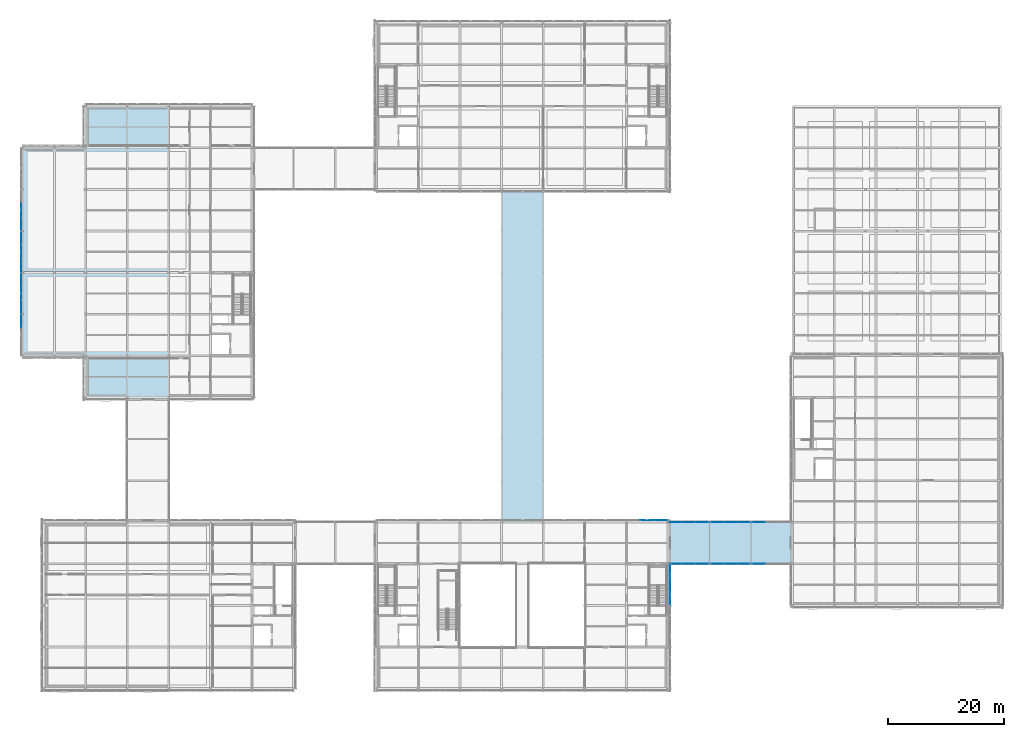
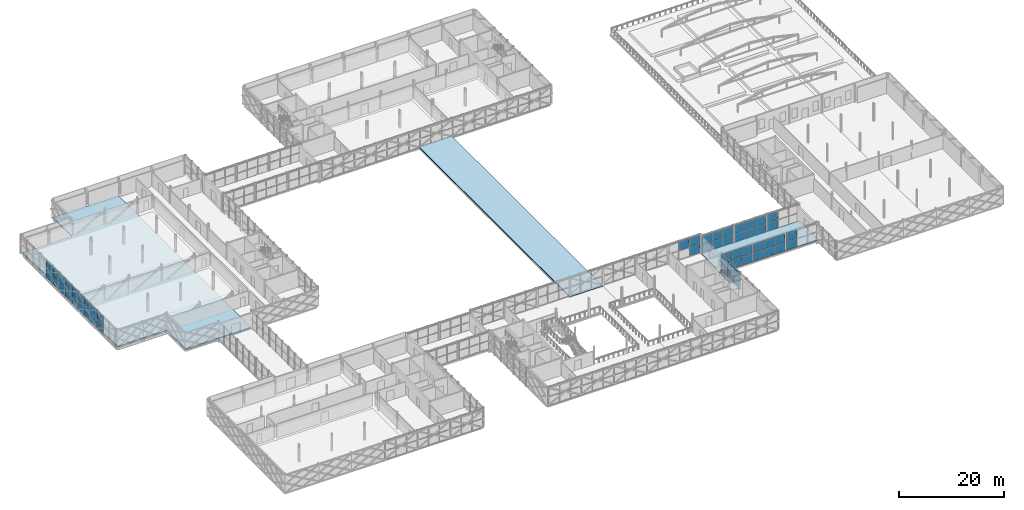
# One storey, part 78 of 126: 55 plates, 3 slabs, 12 elements without a shape of their own.
"""IFC4 building model written with IfcOpenShell, lengths in metres."""

from ifc_helpers import new_model, si_unit, direction, frame, origin, origin_2d, place, context, subcontext, project, spatial, polyline, rectangle, outline, extrude, material, layer, layer_set, type_object, element, aggregate, save


model = new_model("IFC4")

# Units and contexts
model_context = context("Model", 3, precision=1e-05, world=origin(), true_north=direction((0.0, 1.0)))
body_context = subcontext(model_context, "Body", "Model", "MODEL_VIEW")
ifc_project = project(units=[si_unit("LENGTHUNIT", "METRE"), si_unit("AREAUNIT", "SQUARE_METRE"), si_unit("VOLUMEUNIT", "CUBIC_METRE"), si_unit("PLANEANGLEUNIT", "RADIAN"), si_unit("MASSUNIT", "GRAM", prefix="KILO")], contexts=[model_context])

# Site, building, storey
site_placement = place(None, origin())
site = spatial("IfcSite", under=ifc_project, at=site_placement, CompositionType="ELEMENT")
building_placement = place(site_placement, origin())
building = spatial("IfcBuilding", under=site, at=building_placement, Name="Zlatovets Crest Museum", CompositionType="ELEMENT")
storey_placement = place(building_placement, frame((0.0, 0.0, 8.699951171875)))
storey = spatial("IfcBuildingStorey", under=building, at=storey_placement, Name="L02", CompositionType="ELEMENT", Elevation=8.699951171875)

# Curtain wall, plates
ifc_material_1 = material(Name="Bronze-anodised aluminium and low-E triple glass", Category="aluminium")
curtain_wall_type_1 = type_object("IfcCurtainWallType", Name="CW_CW-BR4-L02-S69", PredefinedType="NOTDEFINED", material=ifc_material_1)
curtain_wall_1_placement = place(storey_placement, origin())
curtain_wall_1 = element("IfcCurtainWall", 1, at=curtain_wall_1_placement, inside=storey, type_object=curtain_wall_type_1, Name="Southeast Archive Glazed Link Bridge L02 Glazed Bridge Curtain Wall", PredefinedType="NOTDEFINED")
ifc_material_2 = material(Name="Solar-control low-E laminated triple glass", Category="glass")
ifc_layer_1 = layer(ifc_material_2, 0.030029296875)
ifc_layer_set_1 = layer_set([ifc_layer_1], Name="Solar-control low-E laminated triple glass")
plate_type_1 = type_object("IfcPlateType", Name="CWPanel_CW-BR4-L02-S69", PredefinedType="CURTAIN_PANEL", material=ifc_layer_set_1)
plate_1_placement = place(storey_placement, frame((109.31494140625, 21.60009765625, 0.06005859375), z_axis=(0.0, 0.0, 1.0), x_axis=(1.0, 0.0, 0.0)))
plate_1 = element("IfcPlate", 2, at=plate_1_placement, type_object=plate_type_1, Name="CW-BR4-L02-S69 panel 1.1", PredefinedType="CURTAIN_PANEL", context=body_context, shape_type="SweptSolid", body=[
    extrude(rectangle(XDim=2.2099609375, YDim=0.030029296875, at=origin_2d()), origin(), (0.0, 0.0, 1.0), 1.89990234375),
])
plate_2_placement = place(storey_placement, frame((109.31494140625, 21.60009765625, 2.02001953125), z_axis=(0.0, 0.0, 1.0), x_axis=(1.0, 0.0, 0.0)))
plate_2 = element("IfcPlate", 3, at=plate_2_placement, type_object=plate_type_1, Name="CW-BR4-L02-S69 panel 1.2", PredefinedType="CURTAIN_PANEL", context=body_context, shape_type="SweptSolid", body=[
    extrude(rectangle(XDim=2.2099609375, YDim=0.030029296875, at=origin_2d()), origin(), (0.0, 0.0, 1.0), 1.89990234375),
])
plate_3_placement = place(storey_placement, frame((111.60009765625, 21.60009765625, 0.06005859375), z_axis=(0.0, 0.0, 1.0), x_axis=(1.0, 0.0, 0.0)))
plate_3 = element("IfcPlate", 4, at=plate_3_placement, type_object=plate_type_1, Name="CW-BR4-L02-S69 panel 2.1", PredefinedType="CURTAIN_PANEL", context=body_context, shape_type="SweptSolid", body=[
    extrude(rectangle(XDim=2.239990234375, YDim=0.030029296875, at=origin_2d()), origin(), (0.0, 0.0, 1.0), 1.89990234375),
])
plate_4_placement = place(storey_placement, frame((111.60009765625, 21.60009765625, 2.02001953125), z_axis=(0.0, 0.0, 1.0), x_axis=(1.0, 0.0, 0.0)))
plate_4 = element("IfcPlate", 5, at=plate_4_placement, type_object=plate_type_1, Name="CW-BR4-L02-S69 panel 2.2", PredefinedType="CURTAIN_PANEL", context=body_context, shape_type="SweptSolid", body=[
    extrude(rectangle(XDim=2.239990234375, YDim=0.030029296875, at=origin_2d()), origin(), (0.0, 0.0, 1.0), 1.89990234375),
])
plate_5_placement = place(storey_placement, frame((113.885009765625, 21.60009765625, 0.06005859375), z_axis=(0.0, 0.0, 1.0), x_axis=(1.0, 0.0, 0.0)))
plate_5 = element("IfcPlate", 6, at=plate_5_placement, type_object=plate_type_1, Name="CW-BR4-L02-S69 panel 3.1", PredefinedType="CURTAIN_PANEL", context=body_context, shape_type="SweptSolid", body=[
    extrude(rectangle(XDim=2.2099609375, YDim=0.030029296875, at=origin_2d()), origin(), (0.0, 0.0, 1.0), 1.89990234375),
])
plate_6_placement = place(storey_placement, frame((113.885009765625, 21.60009765625, 2.02001953125), z_axis=(0.0, 0.0, 1.0), x_axis=(1.0, 0.0, 0.0)))
plate_6 = element("IfcPlate", 7, at=plate_6_placement, type_object=plate_type_1, Name="CW-BR4-L02-S69 panel 3.2", PredefinedType="CURTAIN_PANEL", context=body_context, shape_type="SweptSolid", body=[
    extrude(rectangle(XDim=2.2099609375, YDim=0.030029296875, at=origin_2d()), origin(), (0.0, 0.0, 1.0), 1.89990234375),
])
aggregate(curtain_wall_1, [plate_1, plate_2, plate_3, plate_4, plate_5, plate_6])

curtain_wall_2_placement = place(storey_placement, origin())
curtain_wall_2 = element("IfcCurtainWall", 8, at=curtain_wall_2_placement, inside=storey, type_object=curtain_wall_type_1, Name="Southeast Archive Glazed Link Bridge L02 Glazed Bridge Curtain Wall", PredefinedType="NOTDEFINED")
plate_7_placement = place(storey_placement, frame((116.514892578125, 21.60009765625, 0.06005859375), z_axis=(0.0, 0.0, 1.0), x_axis=(1.0, 0.0, 0.0)))
plate_7 = element("IfcPlate", 9, at=plate_7_placement, type_object=plate_type_1, Name="CW-BR4-L02-S69 panel 1.1", PredefinedType="CURTAIN_PANEL", context=body_context, shape_type="SweptSolid", body=[
    extrude(rectangle(XDim=2.2099609375, YDim=0.030029296875, at=origin_2d()), origin(), (0.0, 0.0, 1.0), 1.89990234375),
])
plate_8_placement = place(storey_placement, frame((116.514892578125, 21.60009765625, 2.02001953125), z_axis=(0.0, 0.0, 1.0), x_axis=(1.0, 0.0, 0.0)))
plate_8 = element("IfcPlate", 10, at=plate_8_placement, type_object=plate_type_1, Name="CW-BR4-L02-S69 panel 1.2", PredefinedType="CURTAIN_PANEL", context=body_context, shape_type="SweptSolid", body=[
    extrude(rectangle(XDim=2.2099609375, YDim=0.030029296875, at=origin_2d()), origin(), (0.0, 0.0, 1.0), 1.89990234375),
])
plate_9_placement = place(storey_placement, frame((118.800048828125, 21.60009765625, 0.06005859375), z_axis=(0.0, 0.0, 1.0), x_axis=(1.0, 0.0, 0.0)))
plate_9 = element("IfcPlate", 11, at=plate_9_placement, type_object=plate_type_1, Name="CW-BR4-L02-S69 panel 2.1", PredefinedType="CURTAIN_PANEL", context=body_context, shape_type="SweptSolid", body=[
    extrude(rectangle(XDim=2.239990234375, YDim=0.030029296875, at=origin_2d()), origin(), (0.0, 0.0, 1.0), 1.89990234375),
])
plate_10_placement = place(storey_placement, frame((118.800048828125, 21.60009765625, 2.02001953125), z_axis=(0.0, 0.0, 1.0), x_axis=(1.0, 0.0, 0.0)))
plate_10 = element("IfcPlate", 12, at=plate_10_placement, type_object=plate_type_1, Name="CW-BR4-L02-S69 panel 2.2", PredefinedType="CURTAIN_PANEL", context=body_context, shape_type="SweptSolid", body=[
    extrude(rectangle(XDim=2.239990234375, YDim=0.030029296875, at=origin_2d()), origin(), (0.0, 0.0, 1.0), 1.89990234375),
])
plate_11_placement = place(storey_placement, frame((121.0849609375, 21.60009765625, 0.06005859375), z_axis=(0.0, 0.0, 1.0), x_axis=(1.0, 0.0, 0.0)))
plate_11 = element("IfcPlate", 13, at=plate_11_placement, type_object=plate_type_1, Name="CW-BR4-L02-S69 panel 3.1", PredefinedType="CURTAIN_PANEL", context=body_context, shape_type="SweptSolid", body=[
    extrude(rectangle(XDim=2.2099609375, YDim=0.030029296875, at=origin_2d()), origin(), (0.0, 0.0, 1.0), 1.89990234375),
])
plate_12_placement = place(storey_placement, frame((121.0849609375, 21.60009765625, 2.02001953125), z_axis=(0.0, 0.0, 1.0), x_axis=(1.0, 0.0, 0.0)))
plate_12 = element("IfcPlate", 14, at=plate_12_placement, type_object=plate_type_1, Name="CW-BR4-L02-S69 panel 3.2", PredefinedType="CURTAIN_PANEL", context=body_context, shape_type="SweptSolid", body=[
    extrude(rectangle(XDim=2.2099609375, YDim=0.030029296875, at=origin_2d()), origin(), (0.0, 0.0, 1.0), 1.89990234375),
])
aggregate(curtain_wall_2, [plate_7, plate_8, plate_9, plate_10, plate_11, plate_12])

curtain_wall_3_placement = place(storey_placement, origin())
curtain_wall_3 = element("IfcCurtainWall", 15, at=curtain_wall_3_placement, inside=storey, type_object=curtain_wall_type_1, Name="Southeast Archive Glazed Link Bridge L02 Glazed Bridge Curtain Wall", PredefinedType="NOTDEFINED")
plate_13_placement = place(storey_placement, frame((123.715087890625, 21.60009765625, 0.06005859375), z_axis=(0.0, 0.0, 1.0), x_axis=(1.0, 0.0, 0.0)))
plate_13 = element("IfcPlate", 16, at=plate_13_placement, type_object=plate_type_1, Name="CW-BR4-L02-S69 panel 1.1", PredefinedType="CURTAIN_PANEL", context=body_context, shape_type="SweptSolid", body=[
    extrude(rectangle(XDim=2.2099609375, YDim=0.030029296875, at=origin_2d()), origin(), (0.0, 0.0, 1.0), 1.89990234375),
])
plate_14_placement = place(storey_placement, frame((123.715087890625, 21.60009765625, 2.02001953125), z_axis=(0.0, 0.0, 1.0), x_axis=(1.0, 0.0, 0.0)))
plate_14 = element("IfcPlate", 17, at=plate_14_placement, type_object=plate_type_1, Name="CW-BR4-L02-S69 panel 1.2", PredefinedType="CURTAIN_PANEL", context=body_context, shape_type="SweptSolid", body=[
    extrude(rectangle(XDim=2.2099609375, YDim=0.030029296875, at=origin_2d()), origin(), (0.0, 0.0, 1.0), 1.89990234375),
])
aggregate(curtain_wall_3, [plate_13, plate_14])

curtain_wall_4_placement = place(storey_placement, origin())
curtain_wall_4 = element("IfcCurtainWall", 18, at=curtain_wall_4_placement, inside=storey, type_object=curtain_wall_type_1, Name="Southeast Archive Glazed Link Bridge L02 Glazed Bridge Curtain Wall", PredefinedType="NOTDEFINED")
plate_15_placement = place(storey_placement, frame((109.31494140625, 28.800048828125, 0.06005859375), z_axis=(0.0, 0.0, 1.0), x_axis=(1.0, 0.0, 0.0)))
plate_15 = element("IfcPlate", 19, at=plate_15_placement, type_object=plate_type_1, Name="CW-BR4-L02-S69 panel 1.1", PredefinedType="CURTAIN_PANEL", context=body_context, shape_type="SweptSolid", body=[
    extrude(rectangle(XDim=2.2099609375, YDim=0.030029296875, at=origin_2d()), origin(), (0.0, 0.0, 1.0), 1.89990234375),
])
plate_16_placement = place(storey_placement, frame((109.31494140625, 28.800048828125, 2.02001953125), z_axis=(0.0, 0.0, 1.0), x_axis=(1.0, 0.0, 0.0)))
plate_16 = element("IfcPlate", 20, at=plate_16_placement, type_object=plate_type_1, Name="CW-BR4-L02-S69 panel 1.2", PredefinedType="CURTAIN_PANEL", context=body_context, shape_type="SweptSolid", body=[
    extrude(rectangle(XDim=2.2099609375, YDim=0.030029296875, at=origin_2d()), origin(), (0.0, 0.0, 1.0), 1.89990234375),
])
plate_17_placement = place(storey_placement, frame((111.60009765625, 28.800048828125, 0.06005859375), z_axis=(0.0, 0.0, 1.0), x_axis=(1.0, 0.0, 0.0)))
plate_17 = element("IfcPlate", 21, at=plate_17_placement, type_object=plate_type_1, Name="CW-BR4-L02-S69 panel 2.1", PredefinedType="CURTAIN_PANEL", context=body_context, shape_type="SweptSolid", body=[
    extrude(rectangle(XDim=2.239990234375, YDim=0.030029296875, at=origin_2d()), origin(), (0.0, 0.0, 1.0), 1.89990234375),
])
plate_18_placement = place(storey_placement, frame((111.60009765625, 28.800048828125, 2.02001953125), z_axis=(0.0, 0.0, 1.0), x_axis=(1.0, 0.0, 0.0)))
plate_18 = element("IfcPlate", 22, at=plate_18_placement, type_object=plate_type_1, Name="CW-BR4-L02-S69 panel 2.2", PredefinedType="CURTAIN_PANEL", context=body_context, shape_type="SweptSolid", body=[
    extrude(rectangle(XDim=2.239990234375, YDim=0.030029296875, at=origin_2d()), origin(), (0.0, 0.0, 1.0), 1.89990234375),
])
plate_19_placement = place(storey_placement, frame((113.885009765625, 28.800048828125, 0.06005859375), z_axis=(0.0, 0.0, 1.0), x_axis=(1.0, 0.0, 0.0)))
plate_19 = element("IfcPlate", 23, at=plate_19_placement, type_object=plate_type_1, Name="CW-BR4-L02-S69 panel 3.1", PredefinedType="CURTAIN_PANEL", context=body_context, shape_type="SweptSolid", body=[
    extrude(rectangle(XDim=2.2099609375, YDim=0.030029296875, at=origin_2d()), origin(), (0.0, 0.0, 1.0), 1.89990234375),
])
plate_20_placement = place(storey_placement, frame((113.885009765625, 28.800048828125, 2.02001953125), z_axis=(0.0, 0.0, 1.0), x_axis=(1.0, 0.0, 0.0)))
plate_20 = element("IfcPlate", 24, at=plate_20_placement, type_object=plate_type_1, Name="CW-BR4-L02-S69 panel 3.2", PredefinedType="CURTAIN_PANEL", context=body_context, shape_type="SweptSolid", body=[
    extrude(rectangle(XDim=2.2099609375, YDim=0.030029296875, at=origin_2d()), origin(), (0.0, 0.0, 1.0), 1.89990234375),
])
aggregate(curtain_wall_4, [plate_15, plate_16, plate_17, plate_18, plate_19, plate_20])

curtain_wall_5_placement = place(storey_placement, origin())
curtain_wall_5 = element("IfcCurtainWall", 25, at=curtain_wall_5_placement, inside=storey, type_object=curtain_wall_type_1, Name="Southeast Archive Glazed Link Bridge L02 Glazed Bridge Curtain Wall", PredefinedType="NOTDEFINED")
plate_21_placement = place(storey_placement, frame((116.514892578125, 28.800048828125, 0.06005859375), z_axis=(0.0, 0.0, 1.0), x_axis=(1.0, 0.0, 0.0)))
plate_21 = element("IfcPlate", 26, at=plate_21_placement, type_object=plate_type_1, Name="CW-BR4-L02-S69 panel 1.1", PredefinedType="CURTAIN_PANEL", context=body_context, shape_type="SweptSolid", body=[
    extrude(rectangle(XDim=2.2099609375, YDim=0.030029296875, at=origin_2d()), origin(), (0.0, 0.0, 1.0), 1.89990234375),
])
plate_22_placement = place(storey_placement, frame((116.514892578125, 28.800048828125, 2.02001953125), z_axis=(0.0, 0.0, 1.0), x_axis=(1.0, 0.0, 0.0)))
plate_22 = element("IfcPlate", 27, at=plate_22_placement, type_object=plate_type_1, Name="CW-BR4-L02-S69 panel 1.2", PredefinedType="CURTAIN_PANEL", context=body_context, shape_type="SweptSolid", body=[
    extrude(rectangle(XDim=2.2099609375, YDim=0.030029296875, at=origin_2d()), origin(), (0.0, 0.0, 1.0), 1.89990234375),
])
plate_23_placement = place(storey_placement, frame((118.800048828125, 28.800048828125, 0.06005859375), z_axis=(0.0, 0.0, 1.0), x_axis=(1.0, 0.0, 0.0)))
plate_23 = element("IfcPlate", 28, at=plate_23_placement, type_object=plate_type_1, Name="CW-BR4-L02-S69 panel 2.1", PredefinedType="CURTAIN_PANEL", context=body_context, shape_type="SweptSolid", body=[
    extrude(rectangle(XDim=2.239990234375, YDim=0.030029296875, at=origin_2d()), origin(), (0.0, 0.0, 1.0), 1.89990234375),
])
plate_24_placement = place(storey_placement, frame((118.800048828125, 28.800048828125, 2.02001953125), z_axis=(0.0, 0.0, 1.0), x_axis=(1.0, 0.0, 0.0)))
plate_24 = element("IfcPlate", 29, at=plate_24_placement, type_object=plate_type_1, Name="CW-BR4-L02-S69 panel 2.2", PredefinedType="CURTAIN_PANEL", context=body_context, shape_type="SweptSolid", body=[
    extrude(rectangle(XDim=2.239990234375, YDim=0.030029296875, at=origin_2d()), origin(), (0.0, 0.0, 1.0), 1.89990234375),
])
plate_25_placement = place(storey_placement, frame((121.0849609375, 28.800048828125, 0.06005859375), z_axis=(0.0, 0.0, 1.0), x_axis=(1.0, 0.0, 0.0)))
plate_25 = element("IfcPlate", 30, at=plate_25_placement, type_object=plate_type_1, Name="CW-BR4-L02-S69 panel 3.1", PredefinedType="CURTAIN_PANEL", context=body_context, shape_type="SweptSolid", body=[
    extrude(rectangle(XDim=2.2099609375, YDim=0.030029296875, at=origin_2d()), origin(), (0.0, 0.0, 1.0), 1.89990234375),
])
plate_26_placement = place(storey_placement, frame((121.0849609375, 28.800048828125, 2.02001953125), z_axis=(0.0, 0.0, 1.0), x_axis=(1.0, 0.0, 0.0)))
plate_26 = element("IfcPlate", 31, at=plate_26_placement, type_object=plate_type_1, Name="CW-BR4-L02-S69 panel 3.2", PredefinedType="CURTAIN_PANEL", context=body_context, shape_type="SweptSolid", body=[
    extrude(rectangle(XDim=2.2099609375, YDim=0.030029296875, at=origin_2d()), origin(), (0.0, 0.0, 1.0), 1.89990234375),
])
aggregate(curtain_wall_5, [plate_21, plate_22, plate_23, plate_24, plate_25, plate_26])

curtain_wall_6_placement = place(storey_placement, origin())
curtain_wall_6 = element("IfcCurtainWall", 32, at=curtain_wall_6_placement, inside=storey, type_object=curtain_wall_type_1, Name="Southeast Archive Glazed Link Bridge L02 Glazed Bridge Curtain Wall", PredefinedType="NOTDEFINED")
plate_27_placement = place(storey_placement, frame((123.715087890625, 28.800048828125, 0.06005859375), z_axis=(0.0, 0.0, 1.0), x_axis=(1.0, 0.0, 0.0)))
plate_27 = element("IfcPlate", 33, at=plate_27_placement, type_object=plate_type_1, Name="CW-BR4-L02-S69 panel 1.1", PredefinedType="CURTAIN_PANEL", context=body_context, shape_type="SweptSolid", body=[
    extrude(rectangle(XDim=2.2099609375, YDim=0.030029296875, at=origin_2d()), origin(), (0.0, 0.0, 1.0), 1.89990234375),
])
plate_28_placement = place(storey_placement, frame((123.715087890625, 28.800048828125, 2.02001953125), z_axis=(0.0, 0.0, 1.0), x_axis=(1.0, 0.0, 0.0)))
plate_28 = element("IfcPlate", 34, at=plate_28_placement, type_object=plate_type_1, Name="CW-BR4-L02-S69 panel 1.2", PredefinedType="CURTAIN_PANEL", context=body_context, shape_type="SweptSolid", body=[
    extrude(rectangle(XDim=2.2099609375, YDim=0.030029296875, at=origin_2d()), origin(), (0.0, 0.0, 1.0), 1.89990234375),
])
aggregate(curtain_wall_6, [plate_27, plate_28])

curtain_wall_type_2 = type_object("IfcCurtainWallType", Name="CW_CW-V2-L02-M1", PredefinedType="NOTDEFINED", material=ifc_material_1)
curtain_wall_7_placement = place(storey_placement, origin())
curtain_wall_7 = element("IfcCurtainWall", 35, at=curtain_wall_7_placement, inside=storey, type_object=curtain_wall_type_2, Name="V2 L02 Expressed Core Glazed Facade", PredefinedType="NOTDEFINED")
ifc_layer_2 = layer(ifc_material_2, 0.031982421875)
ifc_layer_set_2 = layer_set([ifc_layer_2], Name="Solar-control low-E laminated triple glass")
plate_type_2 = type_object("IfcPlateType", Name="CWPanel_CW-V2-L02-M1", PredefinedType="CURTAIN_PANEL", material=ifc_layer_set_2)
plate_29_placement = place(storey_placement, frame((108.340087890625, 15.614990234375, 0.06005859375), z_axis=(0.0, 0.0, 1.0), x_axis=(0.0, 1.0, 0.0)))
plate_29 = element("IfcPlate", 36, at=plate_29_placement, type_object=plate_type_2, Name="CW-V2-L02-M1 panel 1.1", PredefinedType="CURTAIN_PANEL", context=body_context, shape_type="SweptSolid", body=[
    extrude(rectangle(XDim=2.31005859375, YDim=0.030029296875, at=origin_2d()), origin(), (0.0, 0.0, 1.0), 2.010009765625),
])
plate_30_placement = place(storey_placement, frame((108.340087890625, 15.614990234375, 2.1298828125), z_axis=(0.0, 0.0, 1.0), x_axis=(0.0, 1.0, 0.0)))
plate_30 = element("IfcPlate", 37, at=plate_30_placement, type_object=plate_type_2, Name="CW-V2-L02-M1 panel 1.2", PredefinedType="CURTAIN_PANEL", context=body_context, shape_type="SweptSolid", body=[
    extrude(rectangle(XDim=2.31005859375, YDim=0.030029296875, at=origin_2d()), origin(), (0.0, 0.0, 1.0), 2.010009765625),
])
plate_31_placement = place(storey_placement, frame((108.340087890625, 18.0, 0.06005859375), z_axis=(0.0, 0.0, 1.0), x_axis=(0.0, 1.0, 0.0)))
plate_31 = element("IfcPlate", 38, at=plate_31_placement, type_object=plate_type_2, Name="CW-V2-L02-M1 panel 2.1", PredefinedType="CURTAIN_PANEL", context=body_context, shape_type="SweptSolid", body=[
    extrude(rectangle(XDim=2.340087890625, YDim=0.030029296875, at=origin_2d()), origin(), (0.0, 0.0, 1.0), 2.010009765625),
])
plate_32_placement = place(storey_placement, frame((108.340087890625, 18.0, 2.1298828125), z_axis=(0.0, 0.0, 1.0), x_axis=(0.0, 1.0, 0.0)))
plate_32 = element("IfcPlate", 39, at=plate_32_placement, type_object=plate_type_2, Name="CW-V2-L02-M1 panel 2.2", PredefinedType="CURTAIN_PANEL", context=body_context, shape_type="SweptSolid", body=[
    extrude(rectangle(XDim=2.340087890625, YDim=0.030029296875, at=origin_2d()), origin(), (0.0, 0.0, 1.0), 2.010009765625),
])
plate_33_placement = place(storey_placement, frame((108.340087890625, 20.385009765625, 0.06005859375), z_axis=(0.0, 0.0, 1.0), x_axis=(0.0, 1.0, 0.0)))
plate_33 = element("IfcPlate", 40, at=plate_33_placement, type_object=plate_type_2, Name="CW-V2-L02-M1 panel 3.1", PredefinedType="CURTAIN_PANEL", context=body_context, shape_type="SweptSolid", body=[
    extrude(rectangle(XDim=2.31005859375, YDim=0.030029296875, at=origin_2d()), origin(), (0.0, 0.0, 1.0), 2.010009765625),
])
plate_34_placement = place(storey_placement, frame((108.340087890625, 20.385009765625, 2.1298828125), z_axis=(0.0, 0.0, 1.0), x_axis=(0.0, 1.0, 0.0)))
plate_34 = element("IfcPlate", 41, at=plate_34_placement, type_object=plate_type_2, Name="CW-V2-L02-M1 panel 3.2", PredefinedType="CURTAIN_PANEL", context=body_context, shape_type="SweptSolid", body=[
    extrude(rectangle(XDim=2.31005859375, YDim=0.030029296875, at=origin_2d()), origin(), (0.0, 0.0, 1.0), 2.010009765625),
])
aggregate(curtain_wall_7, [plate_29, plate_30, plate_31, plate_32, plate_33, plate_34])

curtain_wall_type_3 = type_object("IfcCurtainWallType", Name="CW_CW-V2-L02-M3", PredefinedType="NOTDEFINED", material=ifc_material_1)
curtain_wall_8_placement = place(storey_placement, origin())
curtain_wall_8 = element("IfcCurtainWall", 42, at=curtain_wall_8_placement, inside=storey, type_object=curtain_wall_type_3, Name="V2 L02 Secession Foyer Clear Curtain Wall", PredefinedType="NOTDEFINED")
ifc_layer_3 = layer(ifc_material_2, 0.0400390625)
ifc_layer_set_3 = layer_set([ifc_layer_3], Name="Solar-control low-E laminated triple glass")
plate_type_3 = type_object("IfcPlateType", Name="CWPanel_CW-V2-L02-M3", PredefinedType="CURTAIN_PANEL", material=ifc_layer_set_3)
plate_35_placement = place(storey_placement, frame((106.784912109375, 29.139892578125, 0.06005859375), z_axis=(0.0, 0.0, 1.0), x_axis=(-1.0, 0.0, 0.0)))
plate_35 = element("IfcPlate", 43, at=plate_35_placement, type_object=plate_type_3, Name="CW-V2-L02-M3 panel 1.1", PredefinedType="CURTAIN_PANEL", context=body_context, shape_type="SweptSolid", body=[
    extrude(rectangle(XDim=2.31005859375, YDim=0.0400390625, at=origin_2d()), origin(), (0.0, 0.0, 1.0), 2.010009765625),
])
plate_36_placement = place(storey_placement, frame((106.784912109375, 29.139892578125, 2.1298828125), z_axis=(0.0, 0.0, 1.0), x_axis=(-1.0, 0.0, 0.0)))
plate_36 = element("IfcPlate", 44, at=plate_36_placement, type_object=plate_type_3, Name="CW-V2-L02-M3 panel 1.2", PredefinedType="CURTAIN_PANEL", context=body_context, shape_type="SweptSolid", body=[
    extrude(rectangle(XDim=2.31005859375, YDim=0.0400390625, at=origin_2d()), origin(), (0.0, 0.0, 1.0), 2.010009765625),
])
plate_37_placement = place(storey_placement, frame((104.39990234375, 29.139892578125, 2.1298828125), z_axis=(0.0, 0.0, 1.0), x_axis=(-1.0, 0.0, 0.0)))
plate_37 = element("IfcPlate", 45, at=plate_37_placement, type_object=plate_type_3, Name="CW-V2-L02-M3 panel 2.2", PredefinedType="CURTAIN_PANEL", context=body_context, shape_type="SweptSolid", body=[
    extrude(rectangle(XDim=2.340087890625, YDim=0.0400390625, at=origin_2d()), origin(), (0.0, 0.0, 1.0), 2.010009765625),
])
aggregate(curtain_wall_8, [plate_35, plate_36, plate_37])

curtain_wall_type_4 = type_object("IfcCurtainWallType", Name="CW_CW-V4-L02-M0", PredefinedType="NOTDEFINED", material=ifc_material_1)
curtain_wall_9_placement = place(storey_placement, origin())
curtain_wall_9 = element("IfcCurtainWall", 46, at=curtain_wall_9_placement, inside=storey, type_object=curtain_wall_type_4, Name="V4 L02 Secession Foyer Clear Curtain Wall", PredefinedType="NOTDEFINED")
ifc_layer_4 = layer(ifc_material_2, 0.028076171875)
ifc_layer_set_4 = layer_set([ifc_layer_4], Name="Solar-control low-E laminated triple glass")
plate_type_4 = type_object("IfcPlateType", Name="CWPanel_CW-V4-L02-M0", PredefinedType="CURTAIN_PANEL", material=ifc_layer_set_4)
plate_38_placement = place(storey_placement, frame((-3.93994140625, 77.985107421875, 0.06005859375), z_axis=(0.0, 0.0, 1.0), x_axis=(0.0, -1.0, 0.0)))
plate_38 = element("IfcPlate", 47, at=plate_38_placement, type_object=plate_type_4, Name="CW-V4-L02-M0 panel 1.1", PredefinedType="CURTAIN_PANEL", context=body_context, shape_type="SweptSolid", body=[
    extrude(rectangle(XDim=2.31005859375, YDim=0.028076171875, at=origin_2d()), origin(), (0.0, 0.0, 1.0), 2.010009765625),
])
plate_39_placement = place(storey_placement, frame((-3.93994140625, 77.985107421875, 2.1298828125), z_axis=(0.0, 0.0, 1.0), x_axis=(0.0, -1.0, 0.0)))
plate_39 = element("IfcPlate", 48, at=plate_39_placement, type_object=plate_type_4, Name="CW-V4-L02-M0 panel 1.2", PredefinedType="CURTAIN_PANEL", context=body_context, shape_type="SweptSolid", body=[
    extrude(rectangle(XDim=2.31005859375, YDim=0.028076171875, at=origin_2d()), origin(), (0.0, 0.0, 1.0), 2.010009765625),
])
plate_40_placement = place(storey_placement, frame((-3.93994140625, 75.60009765625, 0.06005859375), z_axis=(0.0, 0.0, 1.0), x_axis=(0.0, -1.0, 0.0)))
plate_40 = element("IfcPlate", 49, at=plate_40_placement, type_object=plate_type_4, Name="CW-V4-L02-M0 panel 2.1", PredefinedType="CURTAIN_PANEL", context=body_context, shape_type="SweptSolid", body=[
    extrude(rectangle(XDim=2.340087890625, YDim=0.028076171875, at=origin_2d()), origin(), (0.0, 0.0, 1.0), 2.010009765625),
])
plate_41_placement = place(storey_placement, frame((-3.93994140625, 75.60009765625, 2.1298828125), z_axis=(0.0, 0.0, 1.0), x_axis=(0.0, -1.0, 0.0)))
plate_41 = element("IfcPlate", 50, at=plate_41_placement, type_object=plate_type_4, Name="CW-V4-L02-M0 panel 2.2", PredefinedType="CURTAIN_PANEL", context=body_context, shape_type="SweptSolid", body=[
    extrude(rectangle(XDim=2.340087890625, YDim=0.028076171875, at=origin_2d()), origin(), (0.0, 0.0, 1.0), 2.010009765625),
])
plate_42_placement = place(storey_placement, frame((-3.93994140625, 73.215087890625, 0.06005859375), z_axis=(0.0, 0.0, 1.0), x_axis=(0.0, -1.0, 0.0)))
plate_42 = element("IfcPlate", 51, at=plate_42_placement, type_object=plate_type_4, Name="CW-V4-L02-M0 panel 3.1", PredefinedType="CURTAIN_PANEL", context=body_context, shape_type="SweptSolid", body=[
    extrude(rectangle(XDim=2.31005859375, YDim=0.028076171875, at=origin_2d()), origin(), (0.0, 0.0, 1.0), 2.010009765625),
])
plate_43_placement = place(storey_placement, frame((-3.93994140625, 73.215087890625, 2.1298828125), z_axis=(0.0, 0.0, 1.0), x_axis=(0.0, -1.0, 0.0)))
plate_43 = element("IfcPlate", 52, at=plate_43_placement, type_object=plate_type_4, Name="CW-V4-L02-M0 panel 3.2", PredefinedType="CURTAIN_PANEL", context=body_context, shape_type="SweptSolid", body=[
    extrude(rectangle(XDim=2.31005859375, YDim=0.028076171875, at=origin_2d()), origin(), (0.0, 0.0, 1.0), 2.010009765625),
])
aggregate(curtain_wall_9, [plate_38, plate_39, plate_40, plate_41, plate_42, plate_43])

curtain_wall_type_5 = type_object("IfcCurtainWallType", Name="CW_CW-V4-L02-M1", PredefinedType="NOTDEFINED", material=ifc_material_1)
curtain_wall_10_placement = place(storey_placement, origin())
curtain_wall_10 = element("IfcCurtainWall", 53, at=curtain_wall_10_placement, inside=storey, type_object=curtain_wall_type_5, Name="V4 L02 Secession Foyer Clear Curtain Wall", PredefinedType="NOTDEFINED")
ifc_layer_5 = layer(ifc_material_2, 0.030029296875)
ifc_layer_set_5 = layer_set([ifc_layer_5], Name="Solar-control low-E laminated triple glass")
plate_type_5 = type_object("IfcPlateType", Name="CWPanel_CW-V4-L02-M1", PredefinedType="CURTAIN_PANEL", material=ifc_layer_set_5)
plate_44_placement = place(storey_placement, frame((-3.93994140625, 70.784912109375, 0.06005859375), z_axis=(0.0, 0.0, 1.0), x_axis=(0.0, -1.0, 0.0)))
plate_44 = element("IfcPlate", 54, at=plate_44_placement, type_object=plate_type_5, Name="CW-V4-L02-M1 panel 1.1", PredefinedType="CURTAIN_PANEL", context=body_context, shape_type="SweptSolid", body=[
    extrude(rectangle(XDim=2.31005859375, YDim=0.031982421875, at=origin_2d()), origin(), (0.0, 0.0, 1.0), 2.010009765625),
])
plate_45_placement = place(storey_placement, frame((-3.93994140625, 70.784912109375, 2.1298828125), z_axis=(0.0, 0.0, 1.0), x_axis=(0.0, -1.0, 0.0)))
plate_45 = element("IfcPlate", 55, at=plate_45_placement, type_object=plate_type_5, Name="CW-V4-L02-M1 panel 1.2", PredefinedType="CURTAIN_PANEL", context=body_context, shape_type="SweptSolid", body=[
    extrude(rectangle(XDim=2.31005859375, YDim=0.031982421875, at=origin_2d()), origin(), (0.0, 0.0, 1.0), 2.010009765625),
])
plate_46_placement = place(storey_placement, frame((-3.93994140625, 68.39990234375, 0.06005859375), z_axis=(0.0, 0.0, 1.0), x_axis=(0.0, -1.0, 0.0)))
plate_46 = element("IfcPlate", 56, at=plate_46_placement, type_object=plate_type_5, Name="CW-V4-L02-M1 panel 2.1", PredefinedType="CURTAIN_PANEL", context=body_context, shape_type="SweptSolid", body=[
    extrude(rectangle(XDim=2.340087890625, YDim=0.031982421875, at=origin_2d()), origin(), (0.0, 0.0, 1.0), 2.010009765625),
])
plate_47_placement = place(storey_placement, frame((-3.93994140625, 68.39990234375, 2.1298828125), z_axis=(0.0, 0.0, 1.0), x_axis=(0.0, -1.0, 0.0)))
plate_47 = element("IfcPlate", 57, at=plate_47_placement, type_object=plate_type_5, Name="CW-V4-L02-M1 panel 2.2", PredefinedType="CURTAIN_PANEL", context=body_context, shape_type="SweptSolid", body=[
    extrude(rectangle(XDim=2.340087890625, YDim=0.031982421875, at=origin_2d()), origin(), (0.0, 0.0, 1.0), 2.010009765625),
])
plate_48_placement = place(storey_placement, frame((-3.93994140625, 66.014892578125, 0.06005859375), z_axis=(0.0, 0.0, 1.0), x_axis=(0.0, -1.0, 0.0)))
plate_48 = element("IfcPlate", 58, at=plate_48_placement, type_object=plate_type_5, Name="CW-V4-L02-M1 panel 3.1", PredefinedType="CURTAIN_PANEL", context=body_context, shape_type="SweptSolid", body=[
    extrude(rectangle(XDim=2.31005859375, YDim=0.031982421875, at=origin_2d()), origin(), (0.0, 0.0, 1.0), 2.010009765625),
])
plate_49_placement = place(storey_placement, frame((-3.93994140625, 66.014892578125, 2.1298828125), z_axis=(0.0, 0.0, 1.0), x_axis=(0.0, -1.0, 0.0)))
plate_49 = element("IfcPlate", 59, at=plate_49_placement, type_object=plate_type_5, Name="CW-V4-L02-M1 panel 3.2", PredefinedType="CURTAIN_PANEL", context=body_context, shape_type="SweptSolid", body=[
    extrude(rectangle(XDim=2.31005859375, YDim=0.031982421875, at=origin_2d()), origin(), (0.0, 0.0, 1.0), 2.010009765625),
])
aggregate(curtain_wall_10, [plate_44, plate_45, plate_46, plate_47, plate_48, plate_49])

curtain_wall_type_6 = type_object("IfcCurtainWallType", Name="CW_CW-V4-L02-M2", PredefinedType="NOTDEFINED", material=ifc_material_1)
curtain_wall_11_placement = place(storey_placement, origin())
curtain_wall_11 = element("IfcCurtainWall", 60, at=curtain_wall_11_placement, inside=storey, type_object=curtain_wall_type_6, Name="V4 L02 Secession Foyer Clear Curtain Wall", PredefinedType="NOTDEFINED")
ifc_layer_6 = layer(ifc_material_2, 0.030029296875)
ifc_layer_set_6 = layer_set([ifc_layer_6], Name="Solar-control low-E laminated triple glass")
plate_type_6 = type_object("IfcPlateType", Name="CWPanel_CW-V4-L02-M2", PredefinedType="CURTAIN_PANEL", material=ifc_layer_set_6)
plate_50_placement = place(storey_placement, frame((-3.93994140625, 63.5849609375, 0.06005859375), z_axis=(0.0, 0.0, 1.0), x_axis=(0.0, -1.0, 0.0)))
plate_50 = element("IfcPlate", 61, at=plate_50_placement, type_object=plate_type_6, Name="CW-V4-L02-M2 panel 1.1", PredefinedType="CURTAIN_PANEL", context=body_context, shape_type="SweptSolid", body=[
    extrude(rectangle(XDim=2.31005859375, YDim=0.035888671875, at=origin_2d()), origin(), (0.0, 0.0, 1.0), 2.010009765625),
])
plate_51_placement = place(storey_placement, frame((-3.93994140625, 63.5849609375, 2.1298828125), z_axis=(0.0, 0.0, 1.0), x_axis=(0.0, -1.0, 0.0)))
plate_51 = element("IfcPlate", 62, at=plate_51_placement, type_object=plate_type_6, Name="CW-V4-L02-M2 panel 1.2", PredefinedType="CURTAIN_PANEL", context=body_context, shape_type="SweptSolid", body=[
    extrude(rectangle(XDim=2.31005859375, YDim=0.035888671875, at=origin_2d()), origin(), (0.0, 0.0, 1.0), 2.010009765625),
])
aggregate(curtain_wall_11, [plate_50, plate_51])

curtain_wall_type_7 = type_object("IfcCurtainWallType", Name="CW_CW-V4-L02-M3", PredefinedType="NOTDEFINED", material=ifc_material_1)
curtain_wall_12_placement = place(storey_placement, origin())
curtain_wall_12 = element("IfcCurtainWall", 63, at=curtain_wall_12_placement, inside=storey, type_object=curtain_wall_type_7, Name="V4 L02 Secession Foyer Clear Curtain Wall", PredefinedType="NOTDEFINED")
ifc_layer_7 = layer(ifc_material_2, 0.0400390625)
ifc_layer_set_7 = layer_set([ifc_layer_7], Name="Solar-control low-E laminated triple glass")
plate_type_7 = type_object("IfcPlateType", Name="CWPanel_CW-V4-L02-M3", PredefinedType="CURTAIN_PANEL", material=ifc_layer_set_7)
plate_52_placement = place(storey_placement, frame((-3.93994140625, 82.800048828125, 0.06005859375), z_axis=(0.0, 0.0, 1.0), x_axis=(0.0, -1.0, 0.0)))
plate_52 = element("IfcPlate", 64, at=plate_52_placement, type_object=plate_type_7, Name="CW-V4-L02-M3 panel 2.1", PredefinedType="CURTAIN_PANEL", context=body_context, shape_type="SweptSolid", body=[
    extrude(rectangle(XDim=2.340087890625, YDim=0.0400390625, at=origin_2d()), origin(), (0.0, 0.0, 1.0), 2.010009765625),
])
plate_53_placement = place(storey_placement, frame((-3.93994140625, 82.800048828125, 2.1298828125), z_axis=(0.0, 0.0, 1.0), x_axis=(0.0, -1.0, 0.0)))
plate_53 = element("IfcPlate", 65, at=plate_53_placement, type_object=plate_type_7, Name="CW-V4-L02-M3 panel 2.2", PredefinedType="CURTAIN_PANEL", context=body_context, shape_type="SweptSolid", body=[
    extrude(rectangle(XDim=2.340087890625, YDim=0.0400390625, at=origin_2d()), origin(), (0.0, 0.0, 1.0), 2.010009765625),
])
plate_54_placement = place(storey_placement, frame((-3.93994140625, 80.4150390625, 0.06005859375), z_axis=(0.0, 0.0, 1.0), x_axis=(0.0, -1.0, 0.0)))
plate_54 = element("IfcPlate", 66, at=plate_54_placement, type_object=plate_type_7, Name="CW-V4-L02-M3 panel 3.1", PredefinedType="CURTAIN_PANEL", context=body_context, shape_type="SweptSolid", body=[
    extrude(rectangle(XDim=2.31005859375, YDim=0.0400390625, at=origin_2d()), origin(), (0.0, 0.0, 1.0), 2.010009765625),
])
plate_55_placement = place(storey_placement, frame((-3.93994140625, 80.4150390625, 2.1298828125), z_axis=(0.0, 0.0, 1.0), x_axis=(0.0, -1.0, 0.0)))
plate_55 = element("IfcPlate", 67, at=plate_55_placement, type_object=plate_type_7, Name="CW-V4-L02-M3 panel 3.2", PredefinedType="CURTAIN_PANEL", context=body_context, shape_type="SweptSolid", body=[
    extrude(rectangle(XDim=2.31005859375, YDim=0.0400390625, at=origin_2d()), origin(), (0.0, 0.0, 1.0), 2.010009765625),
])
aggregate(curtain_wall_12, [plate_52, plate_53, plate_54, plate_55])

# Slabs
ifc_material_3 = material(Name="Concrete C30/37", Category="concrete")
ifc_layer_8 = layer(ifc_material_3, 0.219970703125)
ifc_layer_set_8 = layer_set([ifc_layer_8], Name="Concrete C30/37")
slab_type_1 = type_object("IfcSlabType", Name="Slab_FS-02", PredefinedType="FLOOR", material=ifc_layer_set_8)
slab_1_placement = place(storey_placement, frame((0.0, 0.0, -0.219970703125)))
element("IfcSlab", 68, at=slab_1_placement, inside=storey, type_object=slab_type_1, Name="V4 L02 Structural Slab Panel 1", PredefinedType="FLOOR", context=body_context, shape_type="SweptSolid", body=[
    extrude(outline(polyline([(21.60009765625, 100.800048828125), (21.60009765625, 50.39990234375), (7.199951171875, 50.39990234375), (7.199951171875, 57.60009765625), (-3.60009765625, 57.60009765625), (-3.60009765625, 93.60009765625), (7.199951171875, 93.60009765625), (7.199951171875, 100.800048828125), (21.60009765625, 100.800048828125)])), origin(), (0.0, 0.0, 1.0), 0.219970703125),
])
slab_2_placement = place(storey_placement, frame((0.0, 0.0, -0.219970703125)))
element("IfcSlab", 69, at=slab_2_placement, inside=storey, type_object=slab_type_1, Name="Southeast Archive Glazed Link Bridge L02 Deck Slab", PredefinedType="FLOOR", context=body_context, shape_type="SweptSolid", body=[
    extrude(outline(polyline([(129.60009765625, 21.60009765625), (129.60009765625, 28.800048828125), (108.0, 28.800048828125), (108.0, 21.60009765625), (129.60009765625, 21.60009765625)])), origin(), (0.0, 0.0, 1.0), 0.219970703125),
])
ifc_layer_9 = layer(ifc_material_3, 0.219970703125)
ifc_layer_set_9 = layer_set([ifc_layer_9], Name="Concrete C30/37")
slab_type_2 = type_object("IfcSlabType", Name="Slab_RS-03", PredefinedType="ROOF", material=ifc_layer_set_9)
slab_3_placement = place(storey_placement, frame((0.0, 0.0, -0.219970703125)))
element("IfcSlab", 70, at=slab_3_placement, inside=storey, type_object=slab_type_2, Name="Central Sculpture Court Cloister and Skywalk Glazed Passage Roof Slab", PredefinedType="ROOF", context=body_context, shape_type="SweptSolid", body=[
    extrude(outline(polyline([(86.39990234375, 28.800048828125), (86.39990234375, 86.39990234375), (79.199951171875, 86.39990234375), (79.199951171875, 28.800048828125), (86.39990234375, 28.800048828125)])), origin(), (0.0, 0.0, 1.0), 0.219970703125),
])

save(model, "model.ifc")
